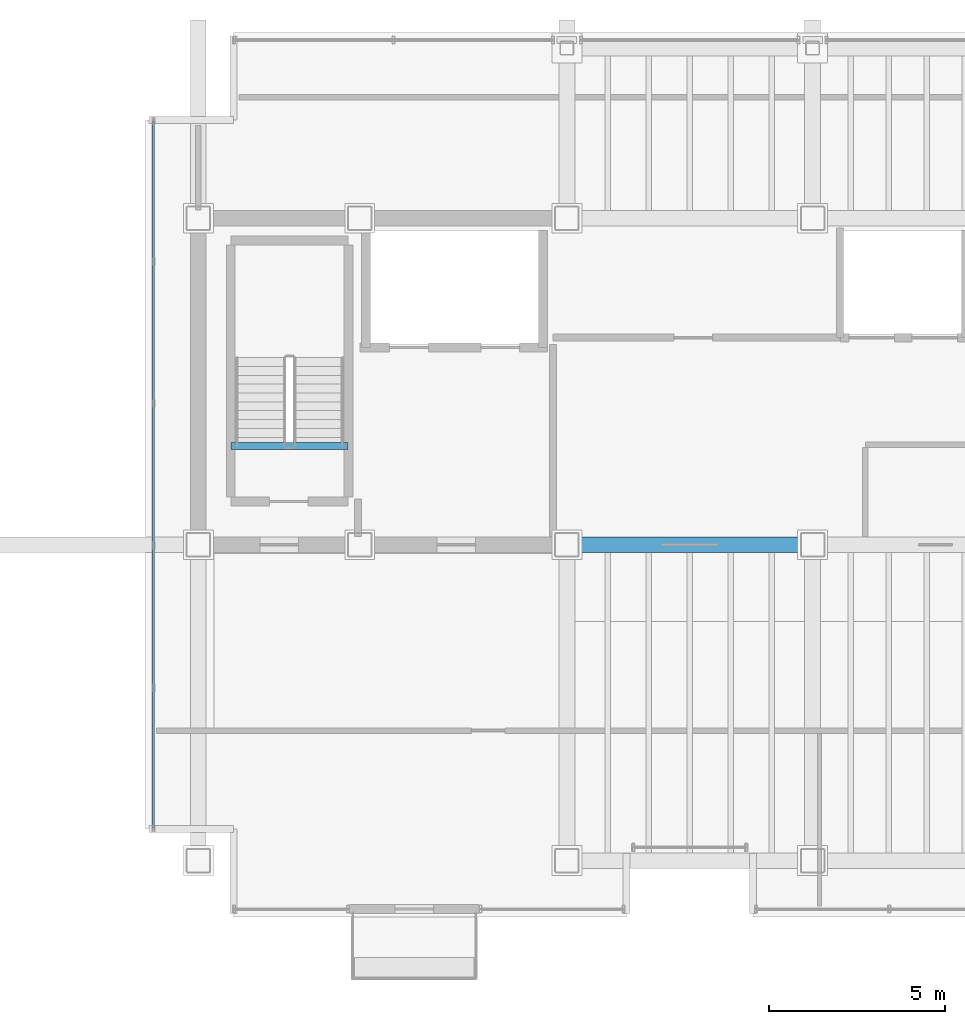
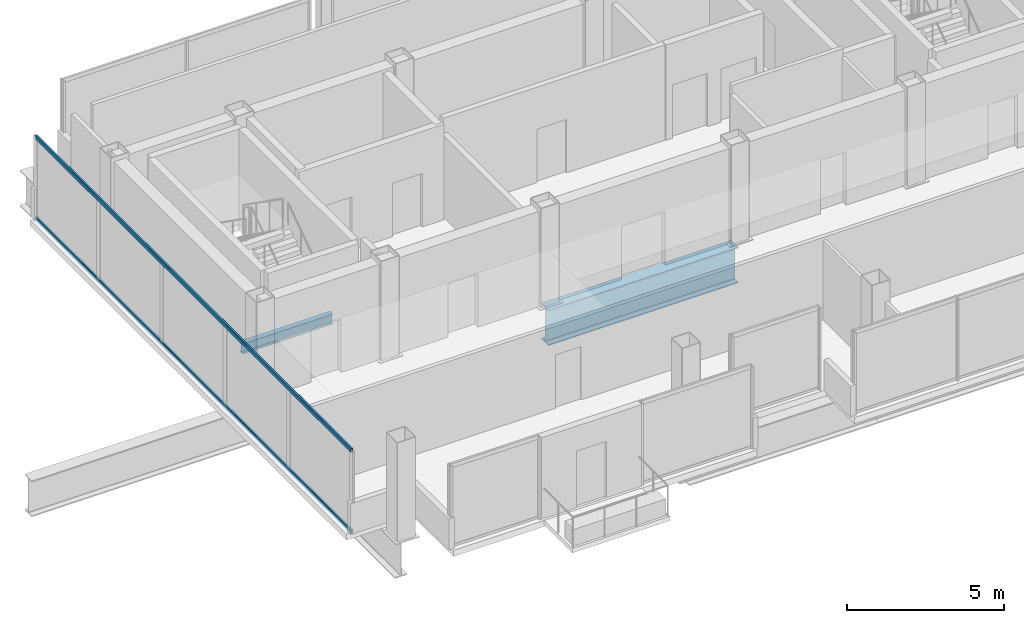
# One storey, part 5 of 17: 2 beams, 2 members, 1 element without a shape of its own.
"""IFC4 building model written with IfcOpenShell, lengths in metres."""

from ifc_helpers import new_model, si_unit, direction, frame, origin, origin_2d, place, context, subcontext, project, spatial, hollow_rectangle, i_section, extrude, material, material_profile, profile_set, type_object, element, aggregate, save


model = new_model("IFC4")

# Units and contexts
model_context = context("Model", 3, precision=1e-05, world=origin(), true_north=direction((0.0, 1.0)))
body_context = subcontext(model_context, "Body", "Model", "MODEL_VIEW")
ifc_project = project(units=[si_unit("LENGTHUNIT", "METRE"), si_unit("AREAUNIT", "SQUARE_METRE"), si_unit("VOLUMEUNIT", "CUBIC_METRE"), si_unit("PLANEANGLEUNIT", "RADIAN"), si_unit("MASSUNIT", "GRAM", prefix="KILO")], contexts=[model_context])

# Site, building, storey
site_placement = place(None, origin())
site = spatial("IfcSite", under=ifc_project, at=site_placement, CompositionType="ELEMENT")
building_placement = place(site_placement, origin())
building = spatial("IfcBuilding", under=site, at=building_placement, Name="Noeulbin Bourse Tower", CompositionType="ELEMENT")
storey_placement = place(building_placement, frame((0.0, 0.0, 281.300048828125)))
storey = spatial("IfcBuildingStorey", under=building, at=storey_placement, Name="L70", CompositionType="ELEMENT", Elevation=281.300048828125)

# Beams
ifc_material_1 = material(Name="Steel S355", Category="steel")
ifc_material_profile_1 = material_profile(ifc_material_1, i_section(OverallWidth=0.199951171875, OverallDepth=0.39990234375, WebThickness=0.008056640625, FlangeThickness=0.012939453125, FilletRadius=0.01611328125, at=origin_2d()), Name="H-400x200x8x13", Category="LoadBearing")
ifc_profile_set_1 = profile_set([ifc_material_profile_1], Name="Steel S355")
beam_type_1 = type_object("IfcBeamType", Name="BM-SEC-400", PredefinedType="BEAM", material=ifc_profile_set_1)
beam_1_placement = place(storey_placement, frame((14.429931640625, 31.820068359375, -0.199951171875), z_axis=(1.0, 0.0, 0.0), x_axis=(0.0, 1.0, 0.0)))
element("IfcBeam", 1, at=beam_1_placement, inside=storey, type_object=beam_type_1, Name="Stair Threshold Trimmer Beam ST1-L70", PredefinedType="BEAM", context=body_context, shape_type="SweptSolid", body=[
    extrude(i_section(OverallWidth=0.199951171875, OverallDepth=0.39990234375, WebThickness=0.008056640625, FlangeThickness=0.012939453125, FilletRadius=0.01611328125, at=origin_2d()), origin(), (0.0, 0.0, 1.0), 3.340087890625),
])
ifc_material_2 = material(Name="Steel S460", Category="steel")
ifc_material_profile_2 = material_profile(ifc_material_2, i_section(OverallWidth=0.449951171875, OverallDepth=1.39990234375, WebThickness=0.02392578125, FlangeThickness=0.0400390625, FilletRadius=0.02392578125, at=origin_2d()), Name="PG-1400x450x24x40", Category="LoadBearing")
ifc_profile_set_2 = profile_set([ifc_material_profile_2], Name="Steel S460")
beam_type_2 = type_object("IfcBeamType", Name="BM-TRF-1400", PredefinedType="USERDEFINED", material=ifc_profile_set_2)
beam_2_placement = place(storey_placement, frame((24.0, 29.0, -0.93994140625), z_axis=(1.0, 0.0, 0.0), x_axis=(0.0, 1.0, 0.0)))
element("IfcBeam", 2, at=beam_2_placement, inside=storey, type_object=beam_type_2, Name="Tower Primary Girder EW L70-2.2", ObjectType="GIRDER", PredefinedType="USERDEFINED", context=body_context, shape_type="SweptSolid", body=[
    extrude(i_section(OverallWidth=0.449951171875, OverallDepth=1.39990234375, WebThickness=0.02392578125, FlangeThickness=0.0400390625, FilletRadius=0.02392578125, at=origin_2d()), origin(), (0.0, 0.0, 1.0), 7.0),
])

# Curtain wall, members
ifc_material_3 = material(Name="High-Selectivity Low-Iron Glazing", Category="glass")
curtain_wall_type = type_object("IfcCurtainWallType", Name="CW-SYS-4", PredefinedType="NOTDEFINED", material=ifc_material_3)
curtain_wall_placement = place(storey_placement, origin())
curtain_wall = element("IfcCurtainWall", 3, at=curtain_wall_placement, inside=storey, type_object=curtain_wall_type, Name="Unitised Curtain Wall CW-L70-W", PredefinedType="NOTDEFINED")
ifc_material_4 = material(Name="Anodised Aluminium 6063-T6", Category="aluminium")
ifc_material_profile_3 = material_profile(ifc_material_4, hollow_rectangle(XDim=0.074951171875, YDim=0.159912109375, WallThickness=0.0048828125, InnerFilletRadius=0.00244140625, OuterFilletRadius=0.0048828125, at=origin_2d()), Name="ALU-TRAN-75x160x5", Category="LoadBearing")
ifc_profile_set_3 = profile_set([ifc_material_profile_3], Name="Anodised Aluminium 6063-T6")
member_type = type_object("IfcMemberType", Name="CW-SYS-4-TRN", PredefinedType="USERDEFINED", material=ifc_profile_set_3)
member_1_placement = place(storey_placement, frame((12.219970703125, 20.929931640625, 0.010009765625), z_axis=(0.0, 1.0, 0.0), x_axis=(-1.0, 0.0, 0.0)))
member_1 = element("IfcMember", 4, at=member_1_placement, type_object=member_type, Name="Curtain Wall Transom CW-L70-W-T00", ObjectType="TRANSOM", PredefinedType="USERDEFINED", context=body_context, shape_type="SweptSolid", body=[
    extrude(hollow_rectangle(XDim=0.074951171875, YDim=0.159912109375, WallThickness=0.0048828125, InnerFilletRadius=0.00244140625, OuterFilletRadius=0.0048828125, at=origin_2d()), origin(), (0.0, 0.0, 1.0), 20.14013671875),
])
member_2_placement = place(storey_placement, frame((12.219970703125, 20.929931640625, 3.169921875), z_axis=(0.0, 1.0, 0.0), x_axis=(-1.0, 0.0, 0.0)))
member_2 = element("IfcMember", 5, at=member_2_placement, type_object=member_type, Name="Curtain Wall Transom CW-L70-W-T01", ObjectType="TRANSOM", PredefinedType="USERDEFINED", context=body_context, shape_type="SweptSolid", body=[
    extrude(hollow_rectangle(XDim=0.074951171875, YDim=0.159912109375, WallThickness=0.0048828125, InnerFilletRadius=0.00244140625, OuterFilletRadius=0.0048828125, at=origin_2d()), origin(), (0.0, 0.0, 1.0), 20.14013671875),
])
aggregate(curtain_wall, [member_1, member_2])

save(model, "model.ifc")
